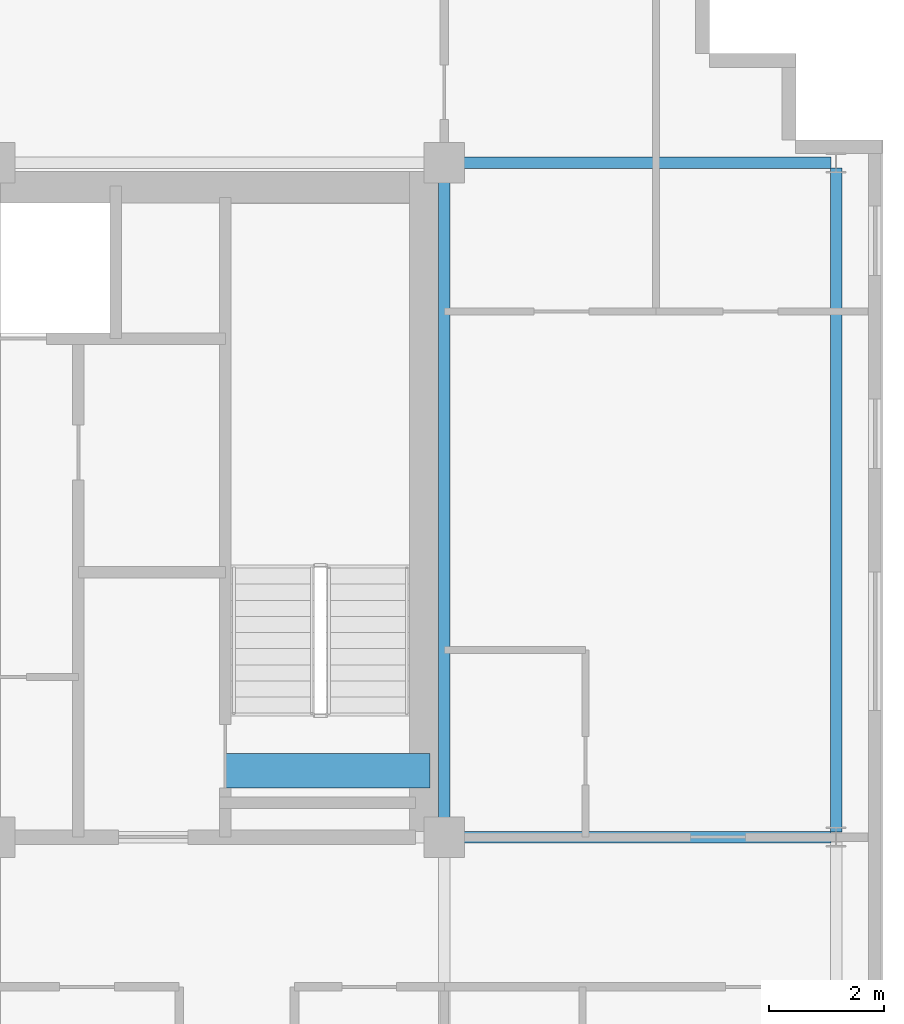
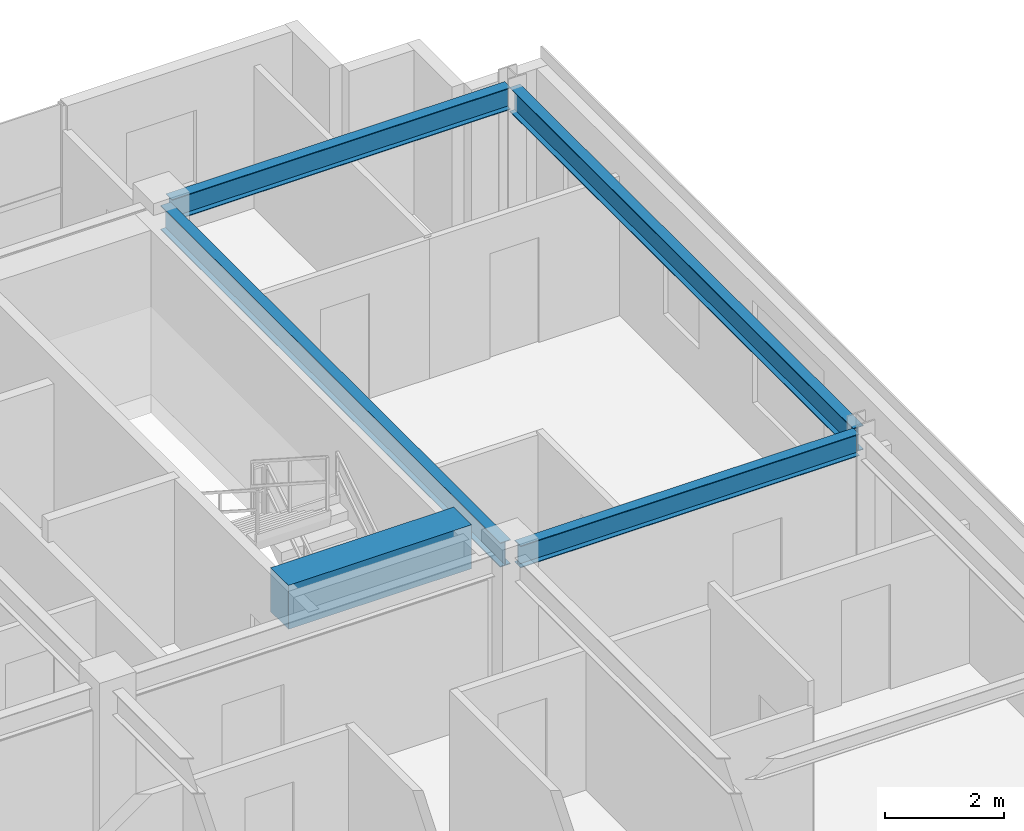
# One storey, part 13 of 23: 5 beams.
"""IFC4 building model written with IfcOpenShell, lengths in metres."""

from ifc_helpers import new_model, si_unit, direction, frame, origin, origin_2d, place, context, subcontext, project, spatial, rectangle, i_section, extrude, source, transform, mapped, material, material_profile, profile_set, type_object, element, save


model = new_model("IFC4")

# Units and contexts
model_context = context("Model", 3, precision=1e-05, world=origin(), true_north=direction((0.0, 1.0)))
body_context = subcontext(model_context, "Body", "Model", "MODEL_VIEW")
ifc_project = project(units=[si_unit("LENGTHUNIT", "METRE"), si_unit("AREAUNIT", "SQUARE_METRE"), si_unit("VOLUMEUNIT", "CUBIC_METRE"), si_unit("PLANEANGLEUNIT", "RADIAN"), si_unit("MASSUNIT", "GRAM", prefix="KILO")], contexts=[model_context])

# Site, building, storey
site_placement = place(None, origin())
site = spatial("IfcSite", under=ifc_project, at=site_placement, CompositionType="ELEMENT")
building_placement = place(site_placement, origin())
building = spatial("IfcBuilding", under=site, at=building_placement, Name="Trelvane Seafront Commons", CompositionType="ELEMENT")
storey_placement = place(building_placement, frame((0.0, 0.0, 204.89990234375)))
storey = spatial("IfcBuildingStorey", under=building, at=storey_placement, Name="L53", CompositionType="ELEMENT", Elevation=204.89990234375)

# Beams
ifc_material_1 = material(Name="Concrete C60/75", Category="concrete")
ifc_material_profile_1 = material_profile(ifc_material_1, rectangle(XDim=0.60009765625, YDim=0.89990234375, at=origin_2d()), Name="RC-600x900")
ifc_profile_set_1 = profile_set([ifc_material_profile_1], Name="Concrete C60/75")
beam_type_1 = type_object("IfcBeamType", Name="STR-LNT-RC600x900", PredefinedType="LINTEL", material=ifc_profile_set_1)
shared_shape_1 = source(origin(), body_context, "Body", "SweptSolid", [
    extrude(rectangle(XDim=0.60009765625, YDim=0.89990234375, at=origin_2d()), origin(), (0.0, 0.0, 1.0), 3.550048828125),
])
beam_1_placement = place(storey_placement, frame((55.0, 34.550048828125, 2.91015625), z_axis=(1.0, 0.0, 0.0), x_axis=(0.0, 1.0, 0.0)))
element("IfcBeam", 1, at=beam_1_placement, inside=storey, type_object=beam_type_1, Name="L53 Core Coupling Lintel Beam CB-68", PredefinedType="LINTEL", context=body_context, shape_type="MappedRepresentation", body=[
    mapped(shared_shape_1, transform((0.0, 0.0, 0.0), x_axis=(1.0, 0.0, 0.0), y_axis=(0.0, 1.0, 0.0), z_axis=(0.0, 0.0, 1.0), scale=1.0)),
])
ifc_material_2 = material(Name="Steel SM355 (S355)", Category="steel")
ifc_material_profile_2 = material_profile(ifc_material_2, i_section(OverallWidth=0.199951171875, OverallDepth=0.5, WebThickness=0.010009765625, FlangeThickness=0.01611328125, at=origin_2d()), Name="H-500x200x10x16")
ifc_profile_set_2 = profile_set([ifc_material_profile_2], Name="Steel SM355 (S355)")
beam_type_2 = type_object("IfcBeamType", Name="STR-BM-H500", PredefinedType="BEAM", material=ifc_profile_set_2)
shared_shape_2 = source(origin(), body_context, "Body", "SweptSolid", [
    extrude(i_section(OverallWidth=0.199951171875, OverallDepth=0.5, WebThickness=0.010009765625, FlangeThickness=0.01611328125, at=origin_2d()), origin(), (0.0, 0.0, 1.0), 11.39990234375),
])
beam_2_placement = place(storey_placement, frame((58.800048828125, 33.550048828125, 3.110107421875), z_axis=(0.0, 1.0, 0.0), x_axis=(-1.0, 0.0, 0.0)))
element("IfcBeam", 2, at=beam_2_placement, inside=storey, type_object=beam_type_2, Name="L53 Primary Girder G-49", PredefinedType="BEAM", context=body_context, shape_type="MappedRepresentation", body=[
    mapped(shared_shape_2, transform((0.0, 0.0, 0.0), x_axis=(1.0, 0.0, 0.0), y_axis=(0.0, 1.0, 0.0), z_axis=(0.0, 0.0, 1.0), scale=1.0)),
])
ifc_material_profile_3 = material_profile(ifc_material_2, i_section(OverallWidth=0.199951171875, OverallDepth=0.449951171875, WebThickness=0.009033203125, FlangeThickness=0.013916015625, at=origin_2d()), Name="H-450x200x9x14")
ifc_profile_set_3 = profile_set([ifc_material_profile_3], Name="Steel SM355 (S355)")
beam_type_3 = type_object("IfcBeamType", Name="STR-SPD-H450", PredefinedType="SPANDREL", material=ifc_profile_set_3)
shared_shape_3 = source(origin(), body_context, "Body", "SweptSolid", [
    extrude(i_section(OverallWidth=0.199951171875, OverallDepth=0.449951171875, WebThickness=0.009033203125, FlangeThickness=0.013916015625, at=origin_2d()), origin(), (0.0, 0.0, 1.0), 6.5625),
])
for number, where, z_axis, x_axis, name in (
    (3, (58.949951171875, 33.39990234375, 3.135009765625), (1.0, 0.0, 0.0), (0.0, 1.0, 0.0), "L53 Primary Girder G-21"),
    (4, (58.949951171875, 45.10009765625, 3.135009765625), (1.0, 0.0, 0.0), (0.0, 1.0, 0.0), "L53 Primary Girder G-28"),
):
    element("IfcBeam", number, at=place(storey_placement, frame(where, z_axis=z_axis, x_axis=x_axis)), inside=storey, type_object=beam_type_3, Name=name, PredefinedType="SPANDREL", context=body_context, shape_type="MappedRepresentation", body=[
        mapped(shared_shape_3, transform((0.0, 0.0, 0.0), x_axis=(1.0, 0.0, 0.0), y_axis=(0.0, 1.0, 0.0), z_axis=(0.0, 0.0, 1.0), scale=1.0)),
    ])
shared_shape_4 = source(origin(), body_context, "Body", "SweptSolid", [
    extrude(i_section(OverallWidth=0.199951171875, OverallDepth=0.5, WebThickness=0.010009765625, FlangeThickness=0.01611328125, at=origin_2d()), origin(), (0.0, 0.0, 1.0), 11.52490234375),
])
beam_3_placement = place(storey_placement, frame((65.60009765625, 33.487548828125, 3.110107421875), z_axis=(0.0, 1.0, 0.0), x_axis=(-1.0, 0.0, 0.0)))
element("IfcBeam", 5, at=beam_3_placement, inside=storey, type_object=beam_type_2, Name="L53 Primary Girder G-52", PredefinedType="BEAM", context=body_context, shape_type="MappedRepresentation", body=[
    mapped(shared_shape_4, transform((0.0, 0.0, 0.0), x_axis=(1.0, 0.0, 0.0), y_axis=(0.0, 1.0, 0.0), z_axis=(0.0, 0.0, 1.0), scale=1.0)),
])

save(model, "model.ifc")
